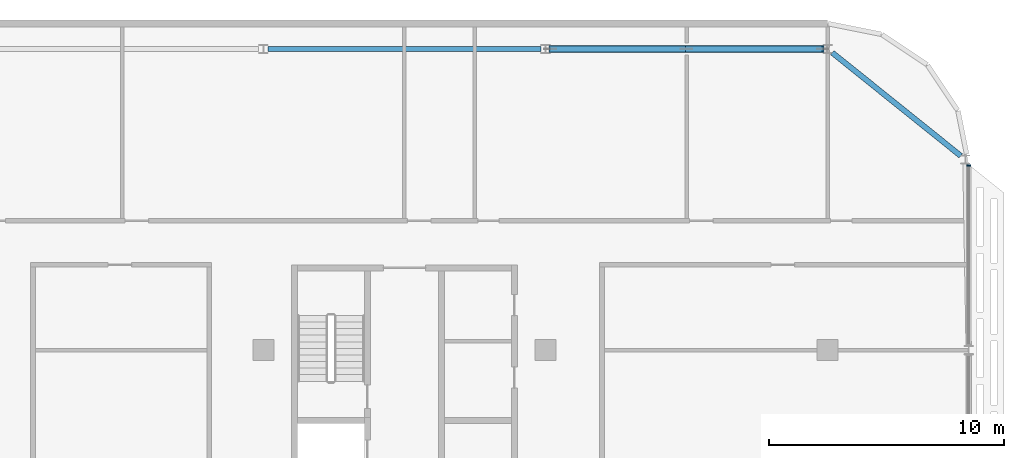
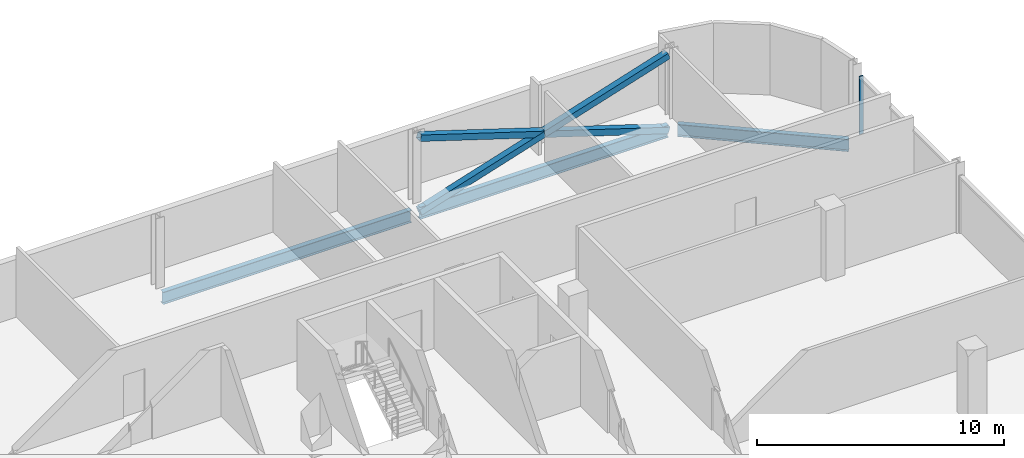
# One storey, part 11 of 28: 4 members, 3 beams, 1 element without a shape of its own.
"""IFC4 building model written with IfcOpenShell, lengths in metres."""

from ifc_helpers import new_model, si_unit, direction, frame, origin, origin_2d, place, context, subcontext, project, spatial, rectangle, hollow_rectangle, i_section, extrude, material, material_profile, profile_set, type_object, element, aggregate, save


model = new_model("IFC4")

# Units and contexts
model_context = context("Model", 3, precision=1e-05, world=origin(), true_north=direction((0.0, 1.0)))
body_context = subcontext(model_context, "Body", "Model", "MODEL_VIEW")
ifc_project = project(units=[si_unit("LENGTHUNIT", "METRE"), si_unit("AREAUNIT", "SQUARE_METRE"), si_unit("VOLUMEUNIT", "CUBIC_METRE"), si_unit("PLANEANGLEUNIT", "RADIAN"), si_unit("MASSUNIT", "GRAM", prefix="KILO")], contexts=[model_context])

# Site, building, storey
site_placement = place(None, origin())
site = spatial("IfcSite", under=ifc_project, at=site_placement, CompositionType="ELEMENT")
building_placement = place(site_placement, origin())
building = spatial("IfcBuilding", under=site, at=building_placement, Name="Mahtab Terrace Research Tower", CompositionType="ELEMENT")
storey_placement = place(building_placement, frame((0.0, 0.0, 270.89990234375)))
storey = spatial("IfcBuildingStorey", under=building, at=storey_placement, Name="L66", CompositionType="ELEMENT", Elevation=270.89990234375)

# Members
ifc_material_1 = material(Name="Steel ASTM A500 Gr C", Category="steel")
ifc_material_profile_1 = material_profile(ifc_material_1, hollow_rectangle(XDim=0.3046875, YDim=0.3046875, WallThickness=0.015869140625, at=origin_2d()), Name="HSS12X12X5/8")
ifc_profile_set_1 = profile_set([ifc_material_profile_1], Name="Steel ASTM A500 Gr C")
member_type_1 = type_object("IfcMemberType", Name="HSS 12x12x5/8 brace XB121258", PredefinedType="BRACE", material=ifc_profile_set_1)
member_1_placement = place(storey_placement, frame((41.80322265625, 24.306884765625, -0.5810546875), z_axis=(-0.953344149173, 0.0, 0.301885629399), x_axis=(0.0, -1.0, 0.0)))
element("IfcMember", 1, at=member_1_placement, inside=storey, type_object=member_type_1, Name="Exoskeleton brace L66 02 a", PredefinedType="BRACE", context=body_context, shape_type="SweptSolid", body=[
    extrude(hollow_rectangle(XDim=0.3046875, YDim=0.3046875, WallThickness=0.015869140625, at=origin_2d()), origin(), (0.0, 0.0, 1.0), 12.174560546875),
])
for number, where, z_axis, x_axis, name in (
    (2, (30.19677734375, 24.306884765625, -0.5810546875), (0.953344149173, 0.0, 0.301885629399), (0.0, 1.0, 0.0), "Exoskeleton brace L66 02 b1"),
    (3, (36.0, 24.306884765625, 1.256591796875), (0.953344149173, 0.0, 0.301885629399), (0.0, 1.0, 0.0), "Exoskeleton brace L66 02 b2"),
):
    element("IfcMember", number, at=place(storey_placement, frame(where, z_axis=z_axis, x_axis=x_axis)), inside=storey, type_object=member_type_1, Name=name, PredefinedType="BRACE", context=body_context, shape_type="SweptSolid", body=[
        extrude(hollow_rectangle(XDim=0.3046875, YDim=0.3046875, WallThickness=0.015869140625, at=origin_2d()), origin(), (0.0, 0.0, 1.0), 6.087158203125),
    ])

# Curtain wall, member
ifc_material_2 = material(Name="Office ribbon curtain wall")
curtain_wall_type = type_object("IfcCurtainWallType", Name="Office ribbon curtain wall", PredefinedType="NOTDEFINED", material=ifc_material_2)
curtain_wall_placement = place(storey_placement, origin())
curtain_wall = element("IfcCurtainWall", 4, at=curtain_wall_placement, inside=storey, type_object=curtain_wall_type, Name="EN.L66.18.24", PredefinedType="NOTDEFINED")
ifc_material_3 = material(Name="Natural anodised aluminium", Category="aluminium")
ifc_material_profile_2 = material_profile(ifc_material_3, rectangle(XDim=0.179931640625, YDim=0.06005859375, at=origin_2d()), Name="MULLION 60x180")
ifc_profile_set_2 = profile_set([ifc_material_profile_2], Name="Natural anodised aluminium")
member_type_2 = type_object("IfcMemberType", Name="Office ribbon curtain wall mullion", PredefinedType="MULLION", material=ifc_profile_set_2)
member_2_placement = place(storey_placement, frame((48.0, 19.360107421875, 0.0), z_axis=(0.0, 0.0, 1.0), x_axis=(-1.0, 0.0, 0.0)))
member_2 = element("IfcMember", 5, at=member_2_placement, type_object=member_type_2, Name="CWO-8 mullion 2", PredefinedType="MULLION", context=body_context, shape_type="SweptSolid", body=[
    extrude(rectangle(XDim=0.179931640625, YDim=0.06005859375, at=origin_2d()), origin(), (0.0, 0.0, 1.0), 2.85302734375),
])
aggregate(curtain_wall, [member_2])

# Beams
ifc_material_4 = material(Name="Steel ASTM A992 Gr 50", Category="steel")
ifc_material_profile_3 = material_profile(ifc_material_4, i_section(OverallWidth=0.228271484375, OverallDepth=0.607177734375, WebThickness=0.01123046875, FlangeThickness=0.017333984375, at=origin_2d()), Name="W24X76")
ifc_profile_set_3 = profile_set([ifc_material_profile_3], Name="Steel ASTM A992 Gr 50")
beam_type = type_object("IfcBeamType", Name="W24x76 beam BS2476", PredefinedType="BEAM", material=ifc_profile_set_3)
beam_placement = place(storey_placement, frame((47.66015625, 19.762939453125, -0.6435546875), z_axis=(-0.77980357172, 0.626024272319, 0.0), x_axis=(-0.626024272319, -0.77980357172, 0.0)))
element("IfcBeam", 6, at=beam_placement, inside=storey, type_object=beam_type, Name="Spandrel beam L66 01", PredefinedType="BEAM", context=body_context, shape_type="SweptSolid", body=[
    extrude(i_section(OverallWidth=0.228271484375, OverallDepth=0.607177734375, WebThickness=0.01123046875, FlangeThickness=0.017333984375, at=origin_2d()), origin(), (0.0, 0.0, 1.0), 7.006103515625),
])
for number, where, z_axis, x_axis, name in (
    (7, (41.80322265625, 24.306884765625, -0.6435546875), (-1.0, 0.0, 0.0), (0.0, -1.0, 0.0), "Spandrel beam L66 02"),
    (8, (29.80322265625, 24.306884765625, -0.6435546875), (-1.0, 0.0, 0.0), (0.0, -1.0, 0.0), "Spandrel beam L66 03"),
):
    element("IfcBeam", number, at=place(storey_placement, frame(where, z_axis=z_axis, x_axis=x_axis)), inside=storey, type_object=beam_type, Name=name, PredefinedType="BEAM", context=body_context, shape_type="SweptSolid", body=[
        extrude(i_section(OverallWidth=0.228271484375, OverallDepth=0.607177734375, WebThickness=0.01123046875, FlangeThickness=0.017333984375, at=origin_2d()), origin(), (0.0, 0.0, 1.0), 11.6064453125),
    ])

save(model, "model.ifc")
